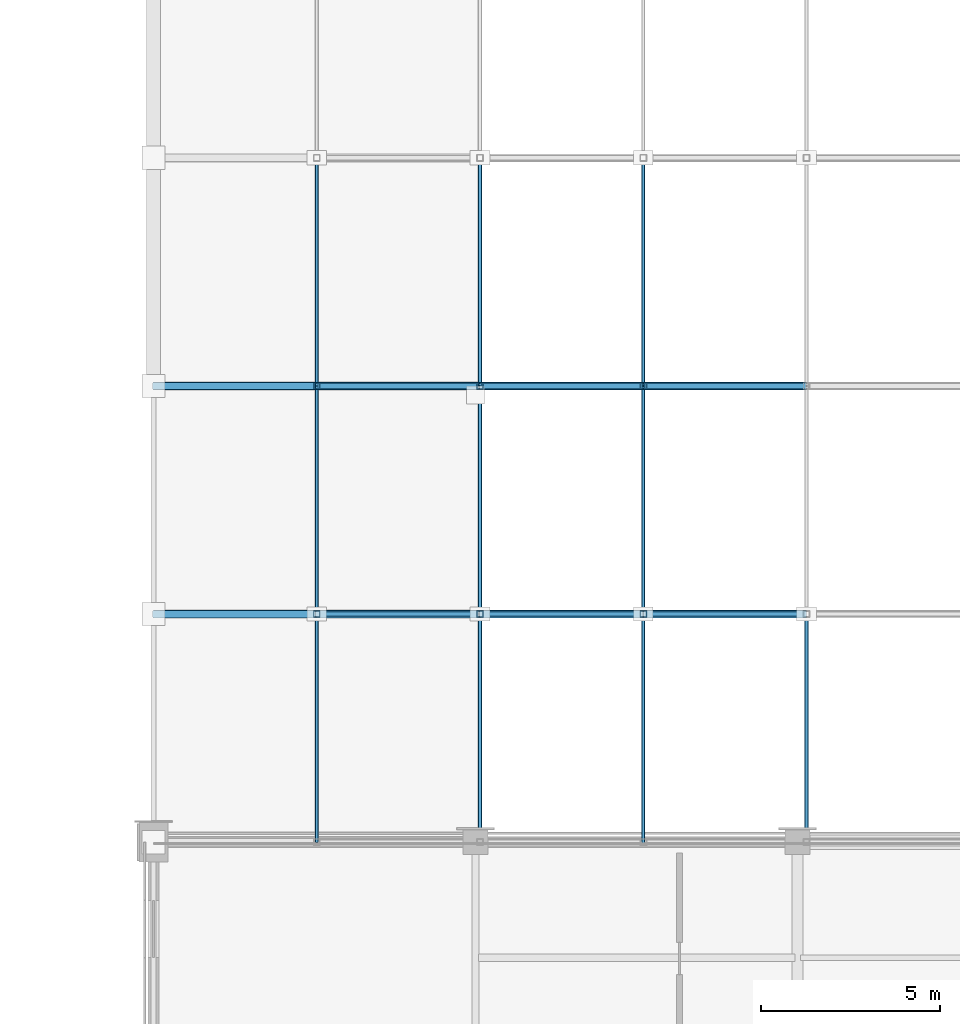
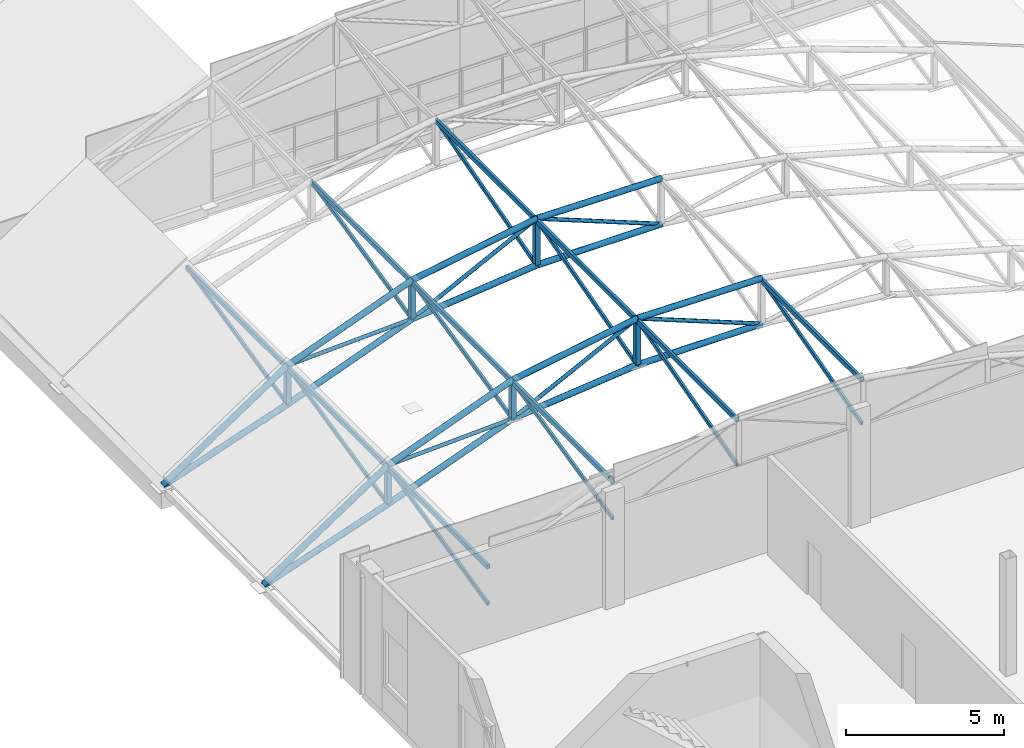
# One storey, part 51 of 101: 48 members.
"""IFC4 building model written with IfcOpenShell, lengths in metres."""

from ifc_helpers import new_model, si_unit, direction, frame, origin, origin_2d, place, context, subcontext, project, spatial, hollow_rectangle, hollow_circle, extrude, material, material_profile, profile_set, type_object, element, save


model = new_model("IFC4")

# Units and contexts
model_context = context("Model", 3, precision=1e-05, world=origin(), true_north=direction((0.0, 1.0)))
body_context = subcontext(model_context, "Body", "Model", "MODEL_VIEW")
ifc_project = project(units=[si_unit("LENGTHUNIT", "METRE"), si_unit("AREAUNIT", "SQUARE_METRE"), si_unit("VOLUMEUNIT", "CUBIC_METRE"), si_unit("PLANEANGLEUNIT", "RADIAN"), si_unit("MASSUNIT", "GRAM", prefix="KILO")], contexts=[model_context])

# Site, building, storey
site_placement = place(None, origin())
site = spatial("IfcSite", under=ifc_project, at=site_placement, CompositionType="ELEMENT")
building_placement = place(site_placement, origin())
building = spatial("IfcBuilding", under=site, at=building_placement, Name="Solvikara Media Centre", CompositionType="ELEMENT")
storey_placement = place(building_placement, frame((0.0, 0.0, 10.199951171875)))
storey = spatial("IfcBuildingStorey", under=building, at=storey_placement, Name="L02", CompositionType="ELEMENT", Elevation=10.199951171875)

# Members
ifc_material = material(Name="Steel S355JR", Category="steel")
ifc_material_profile_1 = material_profile(ifc_material, hollow_circle(Radius=0.109619140625, WallThickness=0.008056640625, at=origin_2d()), Name="CHS 219.1x8")
ifc_profile_set_1 = profile_set([ifc_material_profile_1], Name="Steel S355JR")
member_type_1 = type_object("IfcMemberType", Name="MB-05", PredefinedType="CHORD", material=ifc_profile_set_1)
member_1_placement = place(storey_placement, frame((127.5, 52.875, -0.06787109375), z_axis=(0.83335162007, 0.0, 0.55274322911), x_axis=(0.0, 1.0, 0.0)))
element("IfcMember", 1, at=member_1_placement, inside=storey, type_object=member_type_1, Name="BSA-TC-01-00", PredefinedType="CHORD", context=body_context, shape_type="SweptSolid", body=[
    extrude(hollow_circle(Radius=0.109619140625, WallThickness=0.008056640625, at=origin_2d()), origin(), (0.0, 0.0, 1.0), 5.474365234375),
])
member_2_placement = place(storey_placement, frame((127.5, 52.875, -0.099853515625), z_axis=(0.946343434254, 0.0, 0.323162659423), x_axis=(0.0, 1.0, 0.0)))
element("IfcMember", 2, at=member_2_placement, inside=storey, type_object=member_type_1, Name="BSA-BC-01-00", PredefinedType="CHORD", context=body_context, shape_type="SweptSolid", body=[
    extrude(hollow_circle(Radius=0.109619140625, WallThickness=0.008056640625, at=origin_2d()), origin(), (0.0, 0.0, 1.0), 4.820556640625),
])
for number, where, z_axis, x_axis, name in (
    (3, (132.06201171875, 52.875, 2.9580078125), (0.936407395887, 0.0, 0.350914788699), (0.0, 1.0, 0.0), "BSA-TC-01-01"),
    (4, (132.06201171875, 52.875, 1.4580078125), (0.936407395887, 0.0, 0.350914788699), (0.0, 1.0, 0.0), "BSA-BC-01-01"),
):
    element("IfcMember", number, at=place(storey_placement, frame(where, z_axis=z_axis, x_axis=x_axis)), inside=storey, type_object=member_type_1, Name=name, PredefinedType="CHORD", context=body_context, shape_type="SweptSolid", body=[
        extrude(hollow_circle(Radius=0.109619140625, WallThickness=0.008056640625, at=origin_2d()), origin(), (0.0, 0.0, 1.0), 4.872802734375),
    ])
member_3_placement = place(storey_placement, frame((136.625, 52.875, 4.66796875), z_axis=(0.98541075968, 0.0, 0.170192933775), x_axis=(0.0, 1.0, 0.0)))
element("IfcMember", 5, at=member_3_placement, inside=storey, type_object=member_type_1, Name="BSA-TC-01-02", PredefinedType="CHORD", context=body_context, shape_type="SweptSolid", body=[
    extrude(hollow_circle(Radius=0.109619140625, WallThickness=0.008056640625, at=origin_2d()), origin(), (0.0, 0.0, 1.0), 4.630615234375),
])
member_4_placement = place(storey_placement, frame((136.625, 52.875, 3.16796875), z_axis=(0.994463096743, 0.0, 0.105086389303), x_axis=(0.0, 1.0, 0.0)))
element("IfcMember", 6, at=member_4_placement, inside=storey, type_object=member_type_1, Name="BSA-BC-01-02", PredefinedType="CHORD", context=body_context, shape_type="SweptSolid", body=[
    extrude(hollow_circle(Radius=0.109619140625, WallThickness=0.008056640625, at=origin_2d()), origin(), (0.0, 0.0, 1.0), 4.58837890625),
])
member_5_placement = place(storey_placement, frame((141.18798828125, 52.875, 5.4560546875), z_axis=(0.999949391899, 0.0, -0.010060499073), x_axis=(0.0, 1.0, 0.0)))
element("IfcMember", 7, at=member_5_placement, inside=storey, type_object=member_type_1, Name="BSA-TC-01-03", PredefinedType="CHORD", context=body_context, shape_type="SweptSolid", body=[
    extrude(hollow_circle(Radius=0.109619140625, WallThickness=0.008056640625, at=origin_2d()), origin(), (0.0, 0.0, 1.0), 4.562255859375),
])
member_6_placement = place(storey_placement, frame((141.18798828125, 52.875, 3.650146484375), z_axis=(1.0, 0.0, 0.0), x_axis=(0.0, 1.0, 0.0)))
element("IfcMember", 8, at=member_6_placement, inside=storey, type_object=member_type_1, Name="BSA-BC-01-03", PredefinedType="CHORD", context=body_context, shape_type="SweptSolid", body=[
    extrude(hollow_circle(Radius=0.109619140625, WallThickness=0.008056640625, at=origin_2d()), origin(), (0.0, 0.0, 1.0), 4.56201171875),
])
member_7_placement = place(storey_placement, frame((127.5, 59.25, -0.06787109375), z_axis=(0.83335162007, 0.0, 0.55274322911), x_axis=(0.0, 1.0, 0.0)))
element("IfcMember", 9, at=member_7_placement, inside=storey, type_object=member_type_1, Name="BSA-TC-02-00", PredefinedType="CHORD", context=body_context, shape_type="SweptSolid", body=[
    extrude(hollow_circle(Radius=0.109619140625, WallThickness=0.008056640625, at=origin_2d()), origin(), (0.0, 0.0, 1.0), 5.474365234375),
])
member_8_placement = place(storey_placement, frame((127.5, 59.25, -0.099853515625), z_axis=(0.946343434254, 0.0, 0.323162659423), x_axis=(0.0, 1.0, 0.0)))
element("IfcMember", 10, at=member_8_placement, inside=storey, type_object=member_type_1, Name="BSA-BC-02-00", PredefinedType="CHORD", context=body_context, shape_type="SweptSolid", body=[
    extrude(hollow_circle(Radius=0.109619140625, WallThickness=0.008056640625, at=origin_2d()), origin(), (0.0, 0.0, 1.0), 4.820556640625),
])
for number, where, z_axis, x_axis, name in (
    (11, (132.06201171875, 59.25, 2.9580078125), (0.936407395887, 0.0, 0.350914788699), (0.0, 1.0, 0.0), "BSA-TC-02-01"),
    (12, (132.06201171875, 59.25, 1.4580078125), (0.936407395887, 0.0, 0.350914788699), (0.0, 1.0, 0.0), "BSA-BC-02-01"),
):
    element("IfcMember", number, at=place(storey_placement, frame(where, z_axis=z_axis, x_axis=x_axis)), inside=storey, type_object=member_type_1, Name=name, PredefinedType="CHORD", context=body_context, shape_type="SweptSolid", body=[
        extrude(hollow_circle(Radius=0.109619140625, WallThickness=0.008056640625, at=origin_2d()), origin(), (0.0, 0.0, 1.0), 4.872802734375),
    ])
member_9_placement = place(storey_placement, frame((136.625, 59.25, 4.66796875), z_axis=(0.98541075968, 0.0, 0.170192933775), x_axis=(0.0, 1.0, 0.0)))
element("IfcMember", 13, at=member_9_placement, inside=storey, type_object=member_type_1, Name="BSA-TC-02-02", PredefinedType="CHORD", context=body_context, shape_type="SweptSolid", body=[
    extrude(hollow_circle(Radius=0.109619140625, WallThickness=0.008056640625, at=origin_2d()), origin(), (0.0, 0.0, 1.0), 4.630615234375),
])
member_10_placement = place(storey_placement, frame((136.625, 59.25, 3.16796875), z_axis=(0.994463096743, 0.0, 0.105086389303), x_axis=(0.0, 1.0, 0.0)))
element("IfcMember", 14, at=member_10_placement, inside=storey, type_object=member_type_1, Name="BSA-BC-02-02", PredefinedType="CHORD", context=body_context, shape_type="SweptSolid", body=[
    extrude(hollow_circle(Radius=0.109619140625, WallThickness=0.008056640625, at=origin_2d()), origin(), (0.0, 0.0, 1.0), 4.58837890625),
])
member_11_placement = place(storey_placement, frame((141.18798828125, 59.25, 5.4560546875), z_axis=(0.999949391899, 0.0, -0.010060499073), x_axis=(0.0, 1.0, 0.0)))
element("IfcMember", 15, at=member_11_placement, inside=storey, type_object=member_type_1, Name="BSA-TC-02-03", PredefinedType="CHORD", context=body_context, shape_type="SweptSolid", body=[
    extrude(hollow_circle(Radius=0.109619140625, WallThickness=0.008056640625, at=origin_2d()), origin(), (0.0, 0.0, 1.0), 4.562255859375),
])
member_12_placement = place(storey_placement, frame((141.18798828125, 59.25, 3.650146484375), z_axis=(1.0, 0.0, 0.0), x_axis=(0.0, 1.0, 0.0)))
element("IfcMember", 16, at=member_12_placement, inside=storey, type_object=member_type_1, Name="BSA-BC-02-03", PredefinedType="CHORD", context=body_context, shape_type="SweptSolid", body=[
    extrude(hollow_circle(Radius=0.109619140625, WallThickness=0.008056640625, at=origin_2d()), origin(), (0.0, 0.0, 1.0), 4.56201171875),
])
ifc_material_profile_2 = material_profile(ifc_material, hollow_circle(Radius=0.06982421875, WallThickness=0.00634765625, at=origin_2d()), Name="CHS 139.7x6.3")
ifc_profile_set_2 = profile_set([ifc_material_profile_2], Name="Steel S355JR")
member_type_2 = type_object("IfcMemberType", Name="MB-08", PredefinedType="BRACE", material=ifc_profile_set_2)
member_13_placement = place(storey_placement, frame((132.06201171875, 52.875, 2.9580078125), z_axis=(0.998943038106, 0.0, 0.045965276232), x_axis=(0.0, 1.0, 0.0)))
element("IfcMember", 17, at=member_13_placement, inside=storey, type_object=member_type_2, Name="BSA-DG-01-01", PredefinedType="BRACE", context=body_context, shape_type="SweptSolid", body=[
    extrude(hollow_circle(Radius=0.06982421875, WallThickness=0.00634765625, at=origin_2d()), origin(), (0.0, 0.0, 1.0), 4.56787109375),
])
member_14_placement = place(storey_placement, frame((136.625, 52.875, 3.16796875), z_axis=(0.893910049242, 0.0, 0.448246387453), x_axis=(0.0, 1.0, 0.0)))
element("IfcMember", 18, at=member_14_placement, inside=storey, type_object=member_type_2, Name="BSA-DG-01-02", PredefinedType="BRACE", context=body_context, shape_type="SweptSolid", body=[
    extrude(hollow_circle(Radius=0.06982421875, WallThickness=0.00634765625, at=origin_2d()), origin(), (0.0, 0.0, 1.0), 5.1044921875),
])
member_15_placement = place(storey_placement, frame((141.18798828125, 52.875, 5.4560546875), z_axis=(0.929798808243, 0.0, -0.368068167857), x_axis=(0.0, 1.0, 0.0)))
element("IfcMember", 19, at=member_15_placement, inside=storey, type_object=member_type_2, Name="BSA-DG-01-03", PredefinedType="BRACE", context=body_context, shape_type="SweptSolid", body=[
    extrude(hollow_circle(Radius=0.06982421875, WallThickness=0.00634765625, at=origin_2d()), origin(), (0.0, 0.0, 1.0), 4.906494140625),
])
member_16_placement = place(storey_placement, frame((132.06201171875, 59.25, 2.9580078125), z_axis=(0.998943038106, 0.0, 0.045965276232), x_axis=(0.0, 1.0, 0.0)))
element("IfcMember", 20, at=member_16_placement, inside=storey, type_object=member_type_2, Name="BSA-DG-02-01", PredefinedType="BRACE", context=body_context, shape_type="SweptSolid", body=[
    extrude(hollow_circle(Radius=0.06982421875, WallThickness=0.00634765625, at=origin_2d()), origin(), (0.0, 0.0, 1.0), 4.56787109375),
])
member_17_placement = place(storey_placement, frame((136.625, 59.25, 3.16796875), z_axis=(0.893910049242, 0.0, 0.448246387453), x_axis=(0.0, 1.0, 0.0)))
element("IfcMember", 21, at=member_17_placement, inside=storey, type_object=member_type_2, Name="BSA-DG-02-02", PredefinedType="BRACE", context=body_context, shape_type="SweptSolid", body=[
    extrude(hollow_circle(Radius=0.06982421875, WallThickness=0.00634765625, at=origin_2d()), origin(), (0.0, 0.0, 1.0), 5.1044921875),
])
member_18_placement = place(storey_placement, frame((141.18798828125, 59.25, 5.4560546875), z_axis=(0.929798808243, 0.0, -0.368068167857), x_axis=(0.0, 1.0, 0.0)))
element("IfcMember", 22, at=member_18_placement, inside=storey, type_object=member_type_2, Name="BSA-DG-02-03", PredefinedType="BRACE", context=body_context, shape_type="SweptSolid", body=[
    extrude(hollow_circle(Radius=0.06982421875, WallThickness=0.00634765625, at=origin_2d()), origin(), (0.0, 0.0, 1.0), 4.906494140625),
])
ifc_material_profile_3 = material_profile(ifc_material, hollow_rectangle(XDim=0.179931640625, YDim=0.179931640625, WallThickness=0.008056640625, at=origin_2d()), Name="RHS 180x180x8")
ifc_profile_set_3 = profile_set([ifc_material_profile_3], Name="Steel S355JR")
member_type_3 = type_object("IfcMemberType", Name="MB-14", PredefinedType="BRACE", material=ifc_profile_set_3)
for number, where, z_axis, x_axis, name in (
    (23, (132.06201171875, 52.875, 1.4580078125), (0.0, 0.0, 1.0), (1.0, 0.0, 0.0), "BSA-VT-01-01"),
    (24, (136.625, 52.875, 3.16796875), (0.0, 0.0, 1.0), (1.0, 0.0, 0.0), "BSA-VT-01-02"),
):
    element("IfcMember", number, at=place(storey_placement, frame(where, z_axis=z_axis, x_axis=x_axis)), inside=storey, type_object=member_type_3, Name=name, PredefinedType="BRACE", context=body_context, shape_type="SweptSolid", body=[
        extrude(hollow_rectangle(XDim=0.179931640625, YDim=0.179931640625, WallThickness=0.008056640625, at=origin_2d()), origin(), (0.0, 0.0, 1.0), 1.5),
    ])
member_19_placement = place(storey_placement, frame((141.18798828125, 52.875, 3.650146484375), z_axis=(0.0, 0.0, 1.0), x_axis=(1.0, 0.0, 0.0)))
element("IfcMember", 25, at=member_19_placement, inside=storey, type_object=member_type_3, Name="BSA-VT-01-03", PredefinedType="BRACE", context=body_context, shape_type="SweptSolid", body=[
    extrude(hollow_rectangle(XDim=0.179931640625, YDim=0.179931640625, WallThickness=0.008056640625, at=origin_2d()), origin(), (0.0, 0.0, 1.0), 1.805908203125),
])
for number, where, z_axis, x_axis, name in (
    (26, (132.06201171875, 59.25, 1.4580078125), (0.0, 0.0, 1.0), (1.0, 0.0, 0.0), "BSA-VT-02-01"),
    (27, (136.625, 59.25, 3.16796875), (0.0, 0.0, 1.0), (1.0, 0.0, 0.0), "BSA-VT-02-02"),
):
    element("IfcMember", number, at=place(storey_placement, frame(where, z_axis=z_axis, x_axis=x_axis)), inside=storey, type_object=member_type_3, Name=name, PredefinedType="BRACE", context=body_context, shape_type="SweptSolid", body=[
        extrude(hollow_rectangle(XDim=0.179931640625, YDim=0.179931640625, WallThickness=0.008056640625, at=origin_2d()), origin(), (0.0, 0.0, 1.0), 1.5),
    ])
member_20_placement = place(storey_placement, frame((141.18798828125, 59.25, 3.650146484375), z_axis=(0.0, 0.0, 1.0), x_axis=(1.0, 0.0, 0.0)))
element("IfcMember", 28, at=member_20_placement, inside=storey, type_object=member_type_3, Name="BSA-VT-02-03", PredefinedType="BRACE", context=body_context, shape_type="SweptSolid", body=[
    extrude(hollow_rectangle(XDim=0.179931640625, YDim=0.179931640625, WallThickness=0.008056640625, at=origin_2d()), origin(), (0.0, 0.0, 1.0), 1.805908203125),
])
ifc_material_profile_4 = material_profile(ifc_material, hollow_rectangle(XDim=0.10009765625, YDim=0.179931640625, WallThickness=0.0048828125, at=origin_2d()), Name="RHS 180x100x5")
ifc_profile_set_4 = profile_set([ifc_material_profile_4], Name="Steel S355JR")
member_type_4 = type_object("IfcMemberType", Name="MB-18", PredefinedType="PURLIN", material=ifc_profile_set_4)
for number, where, z_axis, x_axis, name in (
    (29, (132.06201171875, 46.5, 2.89306640625), (0.0, 1.0, 0.0), (-1.0, 0.0, 0.0), "BSA-PRL-00-01"),
    (30, (136.625, 46.5, 4.60302734375), (0.0, 1.0, 0.0), (-1.0, 0.0, 0.0), "BSA-PRL-00-02"),
    (31, (141.18798828125, 46.5, 5.39111328125), (0.0, 1.0, 0.0), (-1.0, 0.0, 0.0), "BSA-PRL-00-03"),
    (32, (145.75, 46.5, 5.344970703125), (0.0, 1.0, 0.0), (-1.0, 0.0, 0.0), "BSA-PRL-00-04"),
    (33, (132.06201171875, 52.875, 2.89306640625), (0.0, 1.0, 0.0), (-1.0, 0.0, 0.0), "BSA-PRL-01-01"),
    (34, (136.625, 52.875, 4.60302734375), (0.0, 1.0, 0.0), (-1.0, 0.0, 0.0), "BSA-PRL-01-02"),
    (35, (141.18798828125, 52.875, 5.39111328125), (0.0, 1.0, 0.0), (-1.0, 0.0, 0.0), "BSA-PRL-01-03"),
    (36, (132.06201171875, 59.25, 2.89306640625), (0.0, 1.0, 0.0), (-1.0, 0.0, 0.0), "BSA-PRL-02-01"),
    (37, (136.625, 59.25, 4.60302734375), (0.0, 1.0, 0.0), (-1.0, 0.0, 0.0), "BSA-PRL-02-02"),
    (38, (141.18798828125, 59.25, 5.39111328125), (0.0, 1.0, 0.0), (-1.0, 0.0, 0.0), "BSA-PRL-02-03"),
):
    element("IfcMember", number, at=place(storey_placement, frame(where, z_axis=z_axis, x_axis=x_axis)), inside=storey, type_object=member_type_4, Name=name, PredefinedType="PURLIN", context=body_context, shape_type="SweptSolid", body=[
        extrude(hollow_rectangle(XDim=0.10009765625, YDim=0.179931640625, WallThickness=0.0048828125, at=origin_2d()), origin(), (0.0, 0.0, 1.0), 6.375),
    ])
ifc_material_profile_5 = material_profile(ifc_material, hollow_rectangle(XDim=0.080078125, YDim=0.14990234375, WallThickness=0.0048828125, at=origin_2d()), Name="RHS 150x80x5")
ifc_profile_set_5 = profile_set([ifc_material_profile_5], Name="Steel S355JR")
member_type_5 = type_object("IfcMemberType", Name="MB-27", PredefinedType="PURLIN", material=ifc_profile_set_5)
for number, where, z_axis, x_axis, name in (
    (39, (132.06201171875, 46.5, 1.4580078125), (0.0, 0.9745939809, 0.223978955246), (-1.0, 0.0, 0.0), "BSA-3D-00-01"),
    (40, (136.625, 46.5, 3.16796875), (0.0, 0.9745939809, 0.223978955246), (-1.0, 0.0, 0.0), "BSA-3D-00-02"),
):
    element("IfcMember", number, at=place(storey_placement, frame(where, z_axis=z_axis, x_axis=x_axis)), inside=storey, type_object=member_type_5, Name=name, PredefinedType="PURLIN", context=body_context, shape_type="SweptSolid", body=[
        extrude(hollow_rectangle(XDim=0.080078125, YDim=0.14990234375, WallThickness=0.0048828125, at=origin_2d()), origin(), (0.0, 0.0, 1.0), 6.541259765625),
    ])
member_21_placement = place(storey_placement, frame((141.18798828125, 46.5, 3.650146484375), z_axis=(0.0, 0.96351156566, 0.26766670103), x_axis=(-1.0, 0.0, 0.0)))
element("IfcMember", 41, at=member_21_placement, inside=storey, type_object=member_type_5, Name="BSA-3D-00-03", PredefinedType="PURLIN", context=body_context, shape_type="SweptSolid", body=[
    extrude(hollow_rectangle(XDim=0.080078125, YDim=0.14990234375, WallThickness=0.0048828125, at=origin_2d()), origin(), (0.0, 0.0, 1.0), 6.616455078125),
])
member_22_placement = place(storey_placement, frame((145.75, 46.5, 3.650146484375), z_axis=(0.0, 0.965291636359, 0.261174380012), x_axis=(-1.0, 0.0, 0.0)))
element("IfcMember", 42, at=member_22_placement, inside=storey, type_object=member_type_5, Name="BSA-3D-00-04", PredefinedType="PURLIN", context=body_context, shape_type="SweptSolid", body=[
    extrude(hollow_rectangle(XDim=0.080078125, YDim=0.14990234375, WallThickness=0.0048828125, at=origin_2d()), origin(), (0.0, 0.0, 1.0), 6.604248046875),
])
for number, where, z_axis, x_axis, name in (
    (43, (132.06201171875, 52.875, 1.4580078125), (0.0, 0.9745939809, 0.223978955246), (-1.0, 0.0, 0.0), "BSA-3D-01-01"),
    (44, (136.625, 52.875, 3.16796875), (0.0, 0.9745939809, 0.223978955246), (-1.0, 0.0, 0.0), "BSA-3D-01-02"),
):
    element("IfcMember", number, at=place(storey_placement, frame(where, z_axis=z_axis, x_axis=x_axis)), inside=storey, type_object=member_type_5, Name=name, PredefinedType="PURLIN", context=body_context, shape_type="SweptSolid", body=[
        extrude(hollow_rectangle(XDim=0.080078125, YDim=0.14990234375, WallThickness=0.0048828125, at=origin_2d()), origin(), (0.0, 0.0, 1.0), 6.541259765625),
    ])
member_23_placement = place(storey_placement, frame((141.18798828125, 52.875, 3.650146484375), z_axis=(0.0, 0.96351156566, 0.26766670103), x_axis=(-1.0, 0.0, 0.0)))
element("IfcMember", 45, at=member_23_placement, inside=storey, type_object=member_type_5, Name="BSA-3D-01-03", PredefinedType="PURLIN", context=body_context, shape_type="SweptSolid", body=[
    extrude(hollow_rectangle(XDim=0.080078125, YDim=0.14990234375, WallThickness=0.0048828125, at=origin_2d()), origin(), (0.0, 0.0, 1.0), 6.616455078125),
])
for number, where, z_axis, x_axis, name in (
    (46, (132.06201171875, 59.25, 1.4580078125), (0.0, 0.9745939809, 0.223978955246), (-1.0, 0.0, 0.0), "BSA-3D-02-01"),
    (47, (136.625, 59.25, 3.16796875), (0.0, 0.9745939809, 0.223978955246), (-1.0, 0.0, 0.0), "BSA-3D-02-02"),
):
    element("IfcMember", number, at=place(storey_placement, frame(where, z_axis=z_axis, x_axis=x_axis)), inside=storey, type_object=member_type_5, Name=name, PredefinedType="PURLIN", context=body_context, shape_type="SweptSolid", body=[
        extrude(hollow_rectangle(XDim=0.080078125, YDim=0.14990234375, WallThickness=0.0048828125, at=origin_2d()), origin(), (0.0, 0.0, 1.0), 6.541259765625),
    ])
member_24_placement = place(storey_placement, frame((141.18798828125, 59.25, 3.650146484375), z_axis=(0.0, 0.96351156566, 0.26766670103), x_axis=(-1.0, 0.0, 0.0)))
element("IfcMember", 48, at=member_24_placement, inside=storey, type_object=member_type_5, Name="BSA-3D-02-03", PredefinedType="PURLIN", context=body_context, shape_type="SweptSolid", body=[
    extrude(hollow_rectangle(XDim=0.080078125, YDim=0.14990234375, WallThickness=0.0048828125, at=origin_2d()), origin(), (0.0, 0.0, 1.0), 6.616455078125),
])

save(model, "model.ifc")
